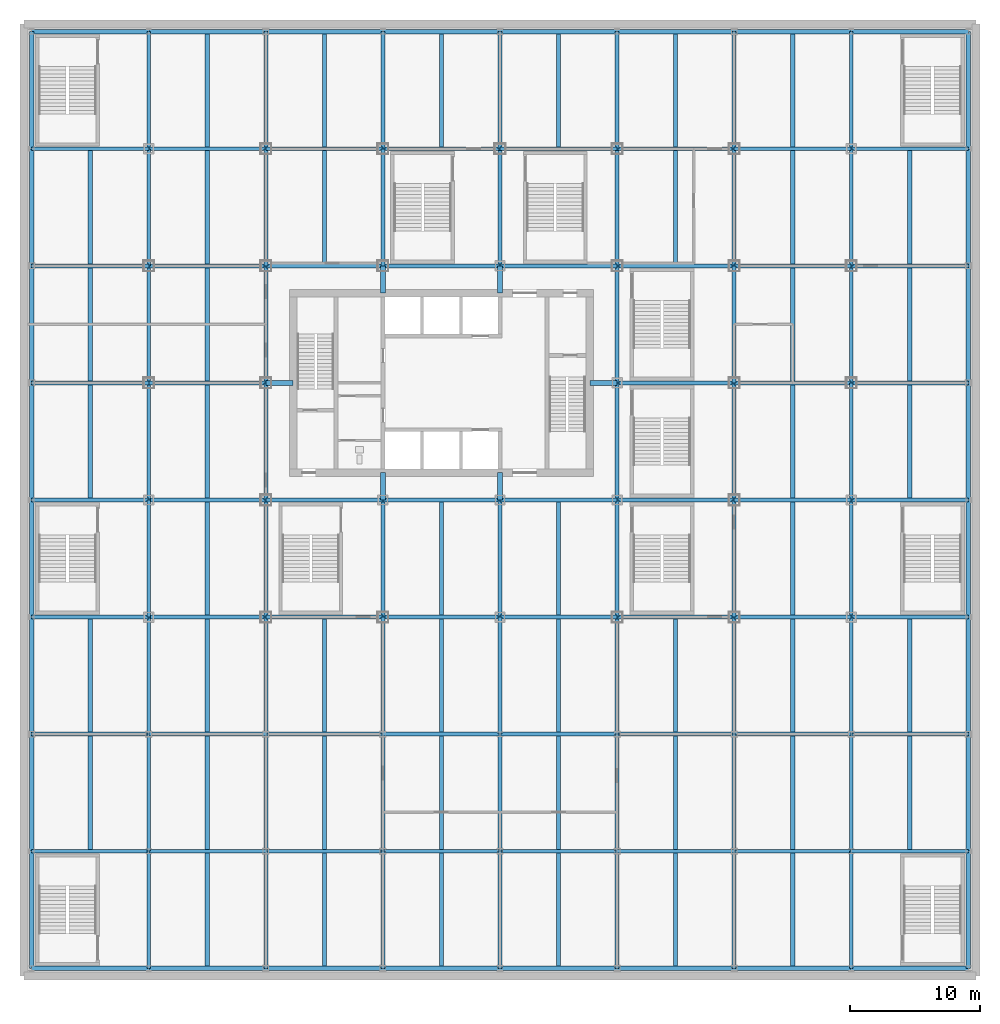
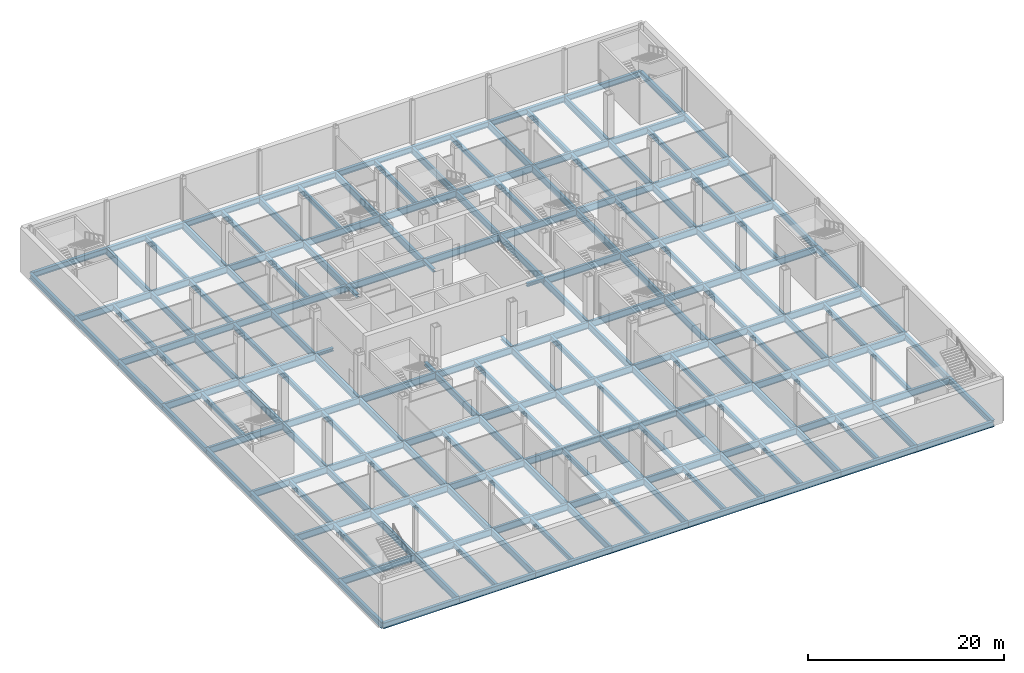
# One storey, part 6 of 27: 183 beams, 6 members.
"""IFC4 building model written with IfcOpenShell, lengths in metres."""

from ifc_helpers import new_model, si_unit, direction, frame, origin, origin_2d, place, context, subcontext, project, spatial, i_section, extrude, material, material_profile, profile_set, type_object, element, save


model = new_model("IFC4")

# Units and contexts
model_context = context("Model", 3, precision=1e-05, world=origin(), true_north=direction((0.0, 1.0)))
body_context = subcontext(model_context, "Body", "Model", "MODEL_VIEW")
ifc_project = project(units=[si_unit("LENGTHUNIT", "METRE"), si_unit("AREAUNIT", "SQUARE_METRE"), si_unit("VOLUMEUNIT", "CUBIC_METRE"), si_unit("PLANEANGLEUNIT", "RADIAN"), si_unit("MASSUNIT", "GRAM", prefix="KILO")], contexts=[model_context])

# Site, building, storey
site_placement = place(None, origin())
site = spatial("IfcSite", under=ifc_project, at=site_placement, CompositionType="ELEMENT")
building_placement = place(site_placement, origin())
building = spatial("IfcBuilding", under=site, at=building_placement, Name="Loomwork Tower", CompositionType="ELEMENT")
storey_placement = place(building_placement, frame((0.0, 0.0, -5.5)))
storey = spatial("IfcBuildingStorey", under=building, at=storey_placement, Name="B1", CompositionType="ELEMENT", Elevation=-5.5)

# Members
ifc_material_1 = material(Name="Steel ASTM A992", Category="steel")
ifc_material_profile_1 = material_profile(ifc_material_1, i_section(OverallWidth=0.373291015625, OverallDepth=0.373291015625, WebThickness=0.016357421875, FlangeThickness=0.026123046875, at=origin_2d()), Name="W14x132")
ifc_profile_set_1 = profile_set([ifc_material_profile_1], Name="Steel ASTM A992")
member_type = type_object("IfcMemberType", Name="CORE LINK STRUT W14x132", PredefinedType="STRUT", material=ifc_profile_set_1)
for number, where, z_axis, x_axis, name in (
    (1, (36.0, 18.0, -0.486572265625), (-1.0, 0.0, 0.0), (0.0, -1.0, 0.0), "Core link strut F/6-33.900,18.000 B1"),
    (2, (18.0, 9.0, -0.486572265625), (0.0, 1.0, 0.0), (-1.0, 0.0, 0.0), "Core link strut E/4-18.000,11.100 B1"),
    (3, (18.0, 27.0, -0.486572265625), (0.0, -1.0, 0.0), (1.0, 0.0, 0.0), "Core link strut G/4-18.000,24.900 B1"),
    (4, (9.0, 18.0, -0.486572265625), (1.0, 0.0, 0.0), (0.0, 1.0, 0.0), "Core link strut F/3-11.100,18.000 B1"),
    (5, (27.0, 9.0, -0.486572265625), (0.0, 1.0, 0.0), (-1.0, 0.0, 0.0), "Core link strut E/5-27.000,11.100 B1"),
    (6, (27.0, 27.0, -0.486572265625), (0.0, -1.0, 0.0), (1.0, 0.0, 0.0), "Core link strut G/5-27.000,24.900 B1"),
):
    element("IfcMember", number, at=place(storey_placement, frame(where, z_axis=z_axis, x_axis=x_axis)), inside=storey, type_object=member_type, Name=name, PredefinedType="STRUT", context=body_context, shape_type="SweptSolid", body=[
        extrude(i_section(OverallWidth=0.373291015625, OverallDepth=0.373291015625, WebThickness=0.016357421875, FlangeThickness=0.026123046875, at=origin_2d()), origin(), (0.0, 0.0, 1.0), 2.10009765625),
    ])

# Beams
ifc_material_2 = material(Name="Steel ASTM A992", Category="steel")
ifc_material_profile_2 = material_profile(ifc_material_2, i_section(OverallWidth=0.355712890625, OverallDepth=0.696044921875, WebThickness=0.015380859375, FlangeThickness=0.024658203125, at=origin_2d()), Name="W27x146")
ifc_profile_set_2 = profile_set([ifc_material_profile_2], Name="Steel ASTM A992")
beam_type_1 = type_object("IfcBeamType", Name="EDGE GIRDER W27x146", PredefinedType="BEAM", material=ifc_profile_set_2)
for number, where, z_axis, x_axis, name in (
    (7, (-9.0, -27.0, -0.64794921875), (1.0, 0.0, 0.0), (0.0, 1.0, 0.0), "Edge Girder A/1-A/2 B1"),
    (8, (0.0, -27.0, -0.64794921875), (1.0, 0.0, 0.0), (0.0, 1.0, 0.0), "Edge Girder A/2-A/3 B1"),
    (9, (9.0, -27.0, -0.64794921875), (1.0, 0.0, 0.0), (0.0, 1.0, 0.0), "Edge Girder A/3-A/4 B1"),
    (10, (18.0, -27.0, -0.64794921875), (1.0, 0.0, 0.0), (0.0, 1.0, 0.0), "Edge Girder A/4-A/5 B1"),
    (11, (27.0, -27.0, -0.64794921875), (1.0, 0.0, 0.0), (0.0, 1.0, 0.0), "Edge Girder A/5-A/6 B1"),
    (12, (36.0, -27.0, -0.64794921875), (1.0, 0.0, 0.0), (0.0, 1.0, 0.0), "Edge Girder A/6-A/7 B1"),
    (13, (45.0, -27.0, -0.64794921875), (1.0, 0.0, 0.0), (0.0, 1.0, 0.0), "Edge Girder A/7-A/8 B1"),
    (14, (54.0, -27.0, -0.64794921875), (1.0, 0.0, 0.0), (0.0, 1.0, 0.0), "Edge Girder A/8-A/9 B1"),
    (15, (-9.0, 45.0, -0.64794921875), (1.0, 0.0, 0.0), (0.0, 1.0, 0.0), "Edge Girder J/1-J/2 B1"),
    (16, (0.0, 45.0, -0.64794921875), (1.0, 0.0, 0.0), (0.0, 1.0, 0.0), "Edge Girder J/2-J/3 B1"),
    (17, (9.0, 45.0, -0.64794921875), (1.0, 0.0, 0.0), (0.0, 1.0, 0.0), "Edge Girder J/3-J/4 B1"),
    (18, (18.0, 45.0, -0.64794921875), (1.0, 0.0, 0.0), (0.0, 1.0, 0.0), "Edge Girder J/4-J/5 B1"),
    (19, (27.0, 45.0, -0.64794921875), (1.0, 0.0, 0.0), (0.0, 1.0, 0.0), "Edge Girder J/5-J/6 B1"),
    (20, (36.0, 45.0, -0.64794921875), (1.0, 0.0, 0.0), (0.0, 1.0, 0.0), "Edge Girder J/6-J/7 B1"),
    (21, (45.0, 45.0, -0.64794921875), (1.0, 0.0, 0.0), (0.0, 1.0, 0.0), "Edge Girder J/7-J/8 B1"),
    (22, (54.0, 45.0, -0.64794921875), (1.0, 0.0, 0.0), (0.0, 1.0, 0.0), "Edge Girder J/8-J/9 B1"),
    (23, (-9.0, -27.0, -0.64794921875), (0.0, 1.0, 0.0), (-1.0, 0.0, 0.0), "Edge Girder A/1-B/1 B1"),
    (24, (-9.0, -18.0, -0.64794921875), (0.0, 1.0, 0.0), (-1.0, 0.0, 0.0), "Edge Girder B/1-C/1 B1"),
    (25, (-9.0, -9.0, -0.64794921875), (0.0, 1.0, 0.0), (-1.0, 0.0, 0.0), "Edge Girder C/1-D/1 B1"),
    (26, (-9.0, 0.0, -0.64794921875), (0.0, 1.0, 0.0), (-1.0, 0.0, 0.0), "Edge Girder D/1-E/1 B1"),
    (27, (-9.0, 9.0, -0.64794921875), (0.0, 1.0, 0.0), (-1.0, 0.0, 0.0), "Edge Girder E/1-F/1 B1"),
    (28, (-9.0, 18.0, -0.64794921875), (0.0, 1.0, 0.0), (-1.0, 0.0, 0.0), "Edge Girder F/1-G/1 B1"),
    (29, (-9.0, 27.0, -0.64794921875), (0.0, 1.0, 0.0), (-1.0, 0.0, 0.0), "Edge Girder G/1-H/1 B1"),
    (30, (-9.0, 36.0, -0.64794921875), (0.0, 1.0, 0.0), (-1.0, 0.0, 0.0), "Edge Girder H/1-J/1 B1"),
    (31, (63.0, -27.0, -0.64794921875), (0.0, 1.0, 0.0), (-1.0, 0.0, 0.0), "Edge Girder A/9-B/9 B1"),
    (32, (63.0, -18.0, -0.64794921875), (0.0, 1.0, 0.0), (-1.0, 0.0, 0.0), "Edge Girder B/9-C/9 B1"),
    (33, (63.0, -9.0, -0.64794921875), (0.0, 1.0, 0.0), (-1.0, 0.0, 0.0), "Edge Girder C/9-D/9 B1"),
    (34, (63.0, 0.0, -0.64794921875), (0.0, 1.0, 0.0), (-1.0, 0.0, 0.0), "Edge Girder D/9-E/9 B1"),
    (35, (63.0, 9.0, -0.64794921875), (0.0, 1.0, 0.0), (-1.0, 0.0, 0.0), "Edge Girder E/9-F/9 B1"),
    (36, (63.0, 18.0, -0.64794921875), (0.0, 1.0, 0.0), (-1.0, 0.0, 0.0), "Edge Girder F/9-G/9 B1"),
    (37, (63.0, 27.0, -0.64794921875), (0.0, 1.0, 0.0), (-1.0, 0.0, 0.0), "Edge Girder G/9-H/9 B1"),
    (38, (63.0, 36.0, -0.64794921875), (0.0, 1.0, 0.0), (-1.0, 0.0, 0.0), "Edge Girder H/9-J/9 B1"),
):
    element("IfcBeam", number, at=place(storey_placement, frame(where, z_axis=z_axis, x_axis=x_axis)), inside=storey, type_object=beam_type_1, Name=name, PredefinedType="BEAM", context=body_context, shape_type="SweptSolid", body=[
        extrude(i_section(OverallWidth=0.355712890625, OverallDepth=0.696044921875, WebThickness=0.015380859375, FlangeThickness=0.024658203125, at=origin_2d()), origin(), (0.0, 0.0, 1.0), 9.0),
    ])
ifc_material_3 = material(Name="Steel ASTM A992", Category="steel")
ifc_material_profile_3 = material_profile(ifc_material_3, i_section(OverallWidth=0.3251953125, OverallDepth=0.612060546875, WebThickness=0.0126953125, FlangeThickness=0.01904296875, at=origin_2d()), Name="W24x104")
ifc_profile_set_3 = profile_set([ifc_material_profile_3], Name="Steel ASTM A992")
beam_type_2 = type_object("IfcBeamType", Name="FLOOR JOIST W24x104", PredefinedType="JOIST", material=ifc_profile_set_3)
for number, where, z_axis, x_axis, name in (
    (39, (-4.5, -17.85400390625, -0.60595703125), (0.0, 1.0, 0.0), (-1.0, 0.0, 0.0), "Floor Joist -4.500,-18.000--4.500,-9.000 B1"),
    (40, (-4.5, -8.85400390625, -0.60595703125), (0.0, 1.0, 0.0), (-1.0, 0.0, 0.0), "Floor Joist -4.500,-9.000--4.500,0.000 B1"),
    (41, (-4.5, 9.14599609375, -0.60595703125), (0.0, 1.0, 0.0), (-1.0, 0.0, 0.0), "Floor Joist -4.500,9.000--4.500,18.000 B1"),
    (42, (-4.5, 18.14599609375, -0.60595703125), (0.0, 1.0, 0.0), (-1.0, 0.0, 0.0), "Floor Joist -4.500,18.000--4.500,27.000 B1"),
    (43, (-4.5, 27.14599609375, -0.60595703125), (0.0, 1.0, 0.0), (-1.0, 0.0, 0.0), "Floor Joist -4.500,27.000--4.500,36.000 B1"),
):
    element("IfcBeam", number, at=place(storey_placement, frame(where, z_axis=z_axis, x_axis=x_axis)), inside=storey, type_object=beam_type_2, Name=name, PredefinedType="JOIST", context=body_context, shape_type="SweptSolid", body=[
        extrude(i_section(OverallWidth=0.3251953125, OverallDepth=0.612060546875, WebThickness=0.0126953125, FlangeThickness=0.01904296875, at=origin_2d()), origin(), (0.0, 0.0, 1.0), 8.7080078125),
    ])
beam_1_placement = place(storey_placement, frame((4.5, -26.822998046875, -0.60595703125), z_axis=(0.0, 1.0, 0.0), x_axis=(-1.0, 0.0, 0.0)))
element("IfcBeam", 44, at=beam_1_placement, inside=storey, type_object=beam_type_2, Name="Floor Joist 4.500,-27.000-4.500,-18.000 B1", PredefinedType="JOIST", context=body_context, shape_type="SweptSolid", body=[
    extrude(i_section(OverallWidth=0.3251953125, OverallDepth=0.612060546875, WebThickness=0.0126953125, FlangeThickness=0.01904296875, at=origin_2d()), origin(), (0.0, 0.0, 1.0), 8.677001953125),
])
for number, where, z_axis, x_axis, name in (
    (45, (4.5, -17.85400390625, -0.60595703125), (0.0, 1.0, 0.0), (-1.0, 0.0, 0.0), "Floor Joist 4.500,-18.000-4.500,-9.000 B1"),
    (46, (4.5, -8.85400390625, -0.60595703125), (0.0, 1.0, 0.0), (-1.0, 0.0, 0.0), "Floor Joist 4.500,-9.000-4.500,0.000 B1"),
    (47, (4.5, 0.14599609375, -0.60595703125), (0.0, 1.0, 0.0), (-1.0, 0.0, 0.0), "Floor Joist 4.500,0.000-4.500,9.000 B1"),
    (48, (4.5, 9.14599609375, -0.60595703125), (0.0, 1.0, 0.0), (-1.0, 0.0, 0.0), "Floor Joist 4.500,9.000-4.500,18.000 B1"),
    (49, (4.5, 18.14599609375, -0.60595703125), (0.0, 1.0, 0.0), (-1.0, 0.0, 0.0), "Floor Joist 4.500,18.000-4.500,27.000 B1"),
    (50, (4.5, 27.14599609375, -0.60595703125), (0.0, 1.0, 0.0), (-1.0, 0.0, 0.0), "Floor Joist 4.500,27.000-4.500,36.000 B1"),
):
    element("IfcBeam", number, at=place(storey_placement, frame(where, z_axis=z_axis, x_axis=x_axis)), inside=storey, type_object=beam_type_2, Name=name, PredefinedType="JOIST", context=body_context, shape_type="SweptSolid", body=[
        extrude(i_section(OverallWidth=0.3251953125, OverallDepth=0.612060546875, WebThickness=0.0126953125, FlangeThickness=0.01904296875, at=origin_2d()), origin(), (0.0, 0.0, 1.0), 8.7080078125),
    ])
for number, where, z_axis, x_axis, name in (
    (51, (4.5, 36.14599609375, -0.60595703125), (0.0, 1.0, 0.0), (-1.0, 0.0, 0.0), "Floor Joist 4.500,36.000-4.500,45.000 B1"),
    (52, (13.5, -26.822998046875, -0.60595703125), (0.0, 1.0, 0.0), (-1.0, 0.0, 0.0), "Floor Joist 13.500,-27.000-13.500,-18.000 B1"),
):
    element("IfcBeam", number, at=place(storey_placement, frame(where, z_axis=z_axis, x_axis=x_axis)), inside=storey, type_object=beam_type_2, Name=name, PredefinedType="JOIST", context=body_context, shape_type="SweptSolid", body=[
        extrude(i_section(OverallWidth=0.3251953125, OverallDepth=0.612060546875, WebThickness=0.0126953125, FlangeThickness=0.01904296875, at=origin_2d()), origin(), (0.0, 0.0, 1.0), 8.677001953125),
    ])
for number, where, z_axis, x_axis, name in (
    (53, (13.5, -17.85400390625, -0.60595703125), (0.0, 1.0, 0.0), (-1.0, 0.0, 0.0), "Floor Joist 13.500,-18.000-13.500,-9.000 B1"),
    (54, (13.5, -8.85400390625, -0.60595703125), (0.0, 1.0, 0.0), (-1.0, 0.0, 0.0), "Floor Joist 13.500,-9.000-13.500,0.000 B1"),
    (55, (13.5, 27.14599609375, -0.60595703125), (0.0, 1.0, 0.0), (-1.0, 0.0, 0.0), "Floor Joist 13.500,27.000-13.500,36.000 B1"),
):
    element("IfcBeam", number, at=place(storey_placement, frame(where, z_axis=z_axis, x_axis=x_axis)), inside=storey, type_object=beam_type_2, Name=name, PredefinedType="JOIST", context=body_context, shape_type="SweptSolid", body=[
        extrude(i_section(OverallWidth=0.3251953125, OverallDepth=0.612060546875, WebThickness=0.0126953125, FlangeThickness=0.01904296875, at=origin_2d()), origin(), (0.0, 0.0, 1.0), 8.7080078125),
    ])
for number, where, z_axis, x_axis, name in (
    (56, (13.5, 36.14599609375, -0.60595703125), (0.0, 1.0, 0.0), (-1.0, 0.0, 0.0), "Floor Joist 13.500,36.000-13.500,45.000 B1"),
    (57, (22.5, -26.822998046875, -0.60595703125), (0.0, 1.0, 0.0), (-1.0, 0.0, 0.0), "Floor Joist 22.500,-27.000-22.500,-18.000 B1"),
):
    element("IfcBeam", number, at=place(storey_placement, frame(where, z_axis=z_axis, x_axis=x_axis)), inside=storey, type_object=beam_type_2, Name=name, PredefinedType="JOIST", context=body_context, shape_type="SweptSolid", body=[
        extrude(i_section(OverallWidth=0.3251953125, OverallDepth=0.612060546875, WebThickness=0.0126953125, FlangeThickness=0.01904296875, at=origin_2d()), origin(), (0.0, 0.0, 1.0), 8.677001953125),
    ])
for number, where, z_axis, x_axis, name in (
    (58, (22.5, -17.85400390625, -0.60595703125), (0.0, 1.0, 0.0), (-1.0, 0.0, 0.0), "Floor Joist 22.500,-18.000-22.500,-9.000 B1"),
    (59, (22.5, -8.85400390625, -0.60595703125), (0.0, 1.0, 0.0), (-1.0, 0.0, 0.0), "Floor Joist 22.500,-9.000-22.500,0.000 B1"),
    (60, (22.5, 0.14599609375, -0.60595703125), (0.0, 1.0, 0.0), (-1.0, 0.0, 0.0), "Floor Joist 22.500,0.000-22.500,9.000 B1"),
):
    element("IfcBeam", number, at=place(storey_placement, frame(where, z_axis=z_axis, x_axis=x_axis)), inside=storey, type_object=beam_type_2, Name=name, PredefinedType="JOIST", context=body_context, shape_type="SweptSolid", body=[
        extrude(i_section(OverallWidth=0.3251953125, OverallDepth=0.612060546875, WebThickness=0.0126953125, FlangeThickness=0.01904296875, at=origin_2d()), origin(), (0.0, 0.0, 1.0), 8.7080078125),
    ])
for number, where, z_axis, x_axis, name in (
    (61, (22.5, 36.14599609375, -0.60595703125), (0.0, 1.0, 0.0), (-1.0, 0.0, 0.0), "Floor Joist 22.500,36.000-22.500,45.000 B1"),
    (62, (31.5, -26.822998046875, -0.60595703125), (0.0, 1.0, 0.0), (-1.0, 0.0, 0.0), "Floor Joist 31.500,-27.000-31.500,-18.000 B1"),
):
    element("IfcBeam", number, at=place(storey_placement, frame(where, z_axis=z_axis, x_axis=x_axis)), inside=storey, type_object=beam_type_2, Name=name, PredefinedType="JOIST", context=body_context, shape_type="SweptSolid", body=[
        extrude(i_section(OverallWidth=0.3251953125, OverallDepth=0.612060546875, WebThickness=0.0126953125, FlangeThickness=0.01904296875, at=origin_2d()), origin(), (0.0, 0.0, 1.0), 8.677001953125),
    ])
for number, where, z_axis, x_axis, name in (
    (63, (31.5, -17.85400390625, -0.60595703125), (0.0, 1.0, 0.0), (-1.0, 0.0, 0.0), "Floor Joist 31.500,-18.000-31.500,-9.000 B1"),
    (64, (31.5, -8.85400390625, -0.60595703125), (0.0, 1.0, 0.0), (-1.0, 0.0, 0.0), "Floor Joist 31.500,-9.000-31.500,0.000 B1"),
    (65, (31.5, 0.14599609375, -0.60595703125), (0.0, 1.0, 0.0), (-1.0, 0.0, 0.0), "Floor Joist 31.500,0.000-31.500,9.000 B1"),
):
    element("IfcBeam", number, at=place(storey_placement, frame(where, z_axis=z_axis, x_axis=x_axis)), inside=storey, type_object=beam_type_2, Name=name, PredefinedType="JOIST", context=body_context, shape_type="SweptSolid", body=[
        extrude(i_section(OverallWidth=0.3251953125, OverallDepth=0.612060546875, WebThickness=0.0126953125, FlangeThickness=0.01904296875, at=origin_2d()), origin(), (0.0, 0.0, 1.0), 8.7080078125),
    ])
for number, where, z_axis, x_axis, name in (
    (66, (31.5, 36.14599609375, -0.60595703125), (0.0, 1.0, 0.0), (-1.0, 0.0, 0.0), "Floor Joist 31.500,36.000-31.500,45.000 B1"),
    (67, (40.5, -26.822998046875, -0.60595703125), (0.0, 1.0, 0.0), (-1.0, 0.0, 0.0), "Floor Joist 40.500,-27.000-40.500,-18.000 B1"),
):
    element("IfcBeam", number, at=place(storey_placement, frame(where, z_axis=z_axis, x_axis=x_axis)), inside=storey, type_object=beam_type_2, Name=name, PredefinedType="JOIST", context=body_context, shape_type="SweptSolid", body=[
        extrude(i_section(OverallWidth=0.3251953125, OverallDepth=0.612060546875, WebThickness=0.0126953125, FlangeThickness=0.01904296875, at=origin_2d()), origin(), (0.0, 0.0, 1.0), 8.677001953125),
    ])
for number, where, z_axis, x_axis, name in (
    (68, (40.5, -17.85400390625, -0.60595703125), (0.0, 1.0, 0.0), (-1.0, 0.0, 0.0), "Floor Joist 40.500,-18.000-40.500,-9.000 B1"),
    (69, (40.5, -8.85400390625, -0.60595703125), (0.0, 1.0, 0.0), (-1.0, 0.0, 0.0), "Floor Joist 40.500,-9.000-40.500,0.000 B1"),
    (70, (40.5, 27.14599609375, -0.60595703125), (0.0, 1.0, 0.0), (-1.0, 0.0, 0.0), "Floor Joist 40.500,27.000-40.500,36.000 B1"),
):
    element("IfcBeam", number, at=place(storey_placement, frame(where, z_axis=z_axis, x_axis=x_axis)), inside=storey, type_object=beam_type_2, Name=name, PredefinedType="JOIST", context=body_context, shape_type="SweptSolid", body=[
        extrude(i_section(OverallWidth=0.3251953125, OverallDepth=0.612060546875, WebThickness=0.0126953125, FlangeThickness=0.01904296875, at=origin_2d()), origin(), (0.0, 0.0, 1.0), 8.7080078125),
    ])
for number, where, z_axis, x_axis, name in (
    (71, (40.5, 36.14599609375, -0.60595703125), (0.0, 1.0, 0.0), (-1.0, 0.0, 0.0), "Floor Joist 40.500,36.000-40.500,45.000 B1"),
    (72, (49.5, -26.822998046875, -0.60595703125), (0.0, 1.0, 0.0), (-1.0, 0.0, 0.0), "Floor Joist 49.500,-27.000-49.500,-18.000 B1"),
):
    element("IfcBeam", number, at=place(storey_placement, frame(where, z_axis=z_axis, x_axis=x_axis)), inside=storey, type_object=beam_type_2, Name=name, PredefinedType="JOIST", context=body_context, shape_type="SweptSolid", body=[
        extrude(i_section(OverallWidth=0.3251953125, OverallDepth=0.612060546875, WebThickness=0.0126953125, FlangeThickness=0.01904296875, at=origin_2d()), origin(), (0.0, 0.0, 1.0), 8.677001953125),
    ])
for number, where, z_axis, x_axis, name in (
    (73, (49.5, -17.85400390625, -0.60595703125), (0.0, 1.0, 0.0), (-1.0, 0.0, 0.0), "Floor Joist 49.500,-18.000-49.500,-9.000 B1"),
    (74, (49.5, -8.85400390625, -0.60595703125), (0.0, 1.0, 0.0), (-1.0, 0.0, 0.0), "Floor Joist 49.500,-9.000-49.500,0.000 B1"),
    (75, (49.5, 0.14599609375, -0.60595703125), (0.0, 1.0, 0.0), (-1.0, 0.0, 0.0), "Floor Joist 49.500,0.000-49.500,9.000 B1"),
    (76, (49.5, 9.14599609375, -0.60595703125), (0.0, 1.0, 0.0), (-1.0, 0.0, 0.0), "Floor Joist 49.500,9.000-49.500,18.000 B1"),
    (77, (49.5, 18.14599609375, -0.60595703125), (0.0, 1.0, 0.0), (-1.0, 0.0, 0.0), "Floor Joist 49.500,18.000-49.500,27.000 B1"),
    (78, (49.5, 27.14599609375, -0.60595703125), (0.0, 1.0, 0.0), (-1.0, 0.0, 0.0), "Floor Joist 49.500,27.000-49.500,36.000 B1"),
):
    element("IfcBeam", number, at=place(storey_placement, frame(where, z_axis=z_axis, x_axis=x_axis)), inside=storey, type_object=beam_type_2, Name=name, PredefinedType="JOIST", context=body_context, shape_type="SweptSolid", body=[
        extrude(i_section(OverallWidth=0.3251953125, OverallDepth=0.612060546875, WebThickness=0.0126953125, FlangeThickness=0.01904296875, at=origin_2d()), origin(), (0.0, 0.0, 1.0), 8.7080078125),
    ])
beam_2_placement = place(storey_placement, frame((49.5, 36.14599609375, -0.60595703125), z_axis=(0.0, 1.0, 0.0), x_axis=(-1.0, 0.0, 0.0)))
element("IfcBeam", 79, at=beam_2_placement, inside=storey, type_object=beam_type_2, Name="Floor Joist 49.500,36.000-49.500,45.000 B1", PredefinedType="JOIST", context=body_context, shape_type="SweptSolid", body=[
    extrude(i_section(OverallWidth=0.3251953125, OverallDepth=0.612060546875, WebThickness=0.0126953125, FlangeThickness=0.01904296875, at=origin_2d()), origin(), (0.0, 0.0, 1.0), 8.677001953125),
])
for number, where, z_axis, x_axis, name in (
    (80, (58.5, -17.85400390625, -0.60595703125), (0.0, 1.0, 0.0), (-1.0, 0.0, 0.0), "Floor Joist 58.500,-18.000-58.500,-9.000 B1"),
    (81, (58.5, -8.85400390625, -0.60595703125), (0.0, 1.0, 0.0), (-1.0, 0.0, 0.0), "Floor Joist 58.500,-9.000-58.500,0.000 B1"),
    (82, (58.5, 9.14599609375, -0.60595703125), (0.0, 1.0, 0.0), (-1.0, 0.0, 0.0), "Floor Joist 58.500,9.000-58.500,18.000 B1"),
    (83, (58.5, 18.14599609375, -0.60595703125), (0.0, 1.0, 0.0), (-1.0, 0.0, 0.0), "Floor Joist 58.500,18.000-58.500,27.000 B1"),
    (84, (58.5, 27.14599609375, -0.60595703125), (0.0, 1.0, 0.0), (-1.0, 0.0, 0.0), "Floor Joist 58.500,27.000-58.500,36.000 B1"),
):
    element("IfcBeam", number, at=place(storey_placement, frame(where, z_axis=z_axis, x_axis=x_axis)), inside=storey, type_object=beam_type_2, Name=name, PredefinedType="JOIST", context=body_context, shape_type="SweptSolid", body=[
        extrude(i_section(OverallWidth=0.3251953125, OverallDepth=0.612060546875, WebThickness=0.0126953125, FlangeThickness=0.01904296875, at=origin_2d()), origin(), (0.0, 0.0, 1.0), 8.7080078125),
    ])
ifc_material_4 = material(Name="Steel ASTM A992", Category="steel")
ifc_material_profile_4 = material_profile(ifc_material_4, i_section(OverallWidth=0.2919921875, OverallDepth=0.8583984375, WebThickness=0.01708984375, FlangeThickness=0.031005859375, at=origin_2d()), Name="W33x169")
ifc_profile_set_4 = profile_set([ifc_material_profile_4], Name="Steel ASTM A992")
beam_type_3 = type_object("IfcBeamType", Name="PODIUM GIRDER W33x169", PredefinedType="BEAM", material=ifc_profile_set_4)
for number, where, z_axis, x_axis, name in (
    (85, (-9.0, -18.0, -0.729248046875), (1.0, 0.0, 0.0), (0.0, 1.0, 0.0), "Podium Girder B/1-B/2 B1"),
    (86, (0.0, -18.0, -0.729248046875), (1.0, 0.0, 0.0), (0.0, 1.0, 0.0), "Podium Girder B/2-B/3 B1"),
    (87, (9.0, -18.0, -0.729248046875), (1.0, 0.0, 0.0), (0.0, 1.0, 0.0), "Podium Girder B/3-B/4 B1"),
    (88, (18.0, -18.0, -0.729248046875), (1.0, 0.0, 0.0), (0.0, 1.0, 0.0), "Podium Girder B/4-B/5 B1"),
    (89, (27.0, -18.0, -0.729248046875), (1.0, 0.0, 0.0), (0.0, 1.0, 0.0), "Podium Girder B/5-B/6 B1"),
    (90, (36.0, -18.0, -0.729248046875), (1.0, 0.0, 0.0), (0.0, 1.0, 0.0), "Podium Girder B/6-B/7 B1"),
    (91, (45.0, -18.0, -0.729248046875), (1.0, 0.0, 0.0), (0.0, 1.0, 0.0), "Podium Girder B/7-B/8 B1"),
    (92, (54.0, -18.0, -0.729248046875), (1.0, 0.0, 0.0), (0.0, 1.0, 0.0), "Podium Girder B/8-B/9 B1"),
    (93, (-9.0, -9.0, -0.729248046875), (1.0, 0.0, 0.0), (0.0, 1.0, 0.0), "Podium Girder C/1-C/2 B1"),
    (94, (0.0, -9.0, -0.729248046875), (1.0, 0.0, 0.0), (0.0, 1.0, 0.0), "Podium Girder C/2-C/3 B1"),
    (95, (9.0, -9.0, -0.729248046875), (1.0, 0.0, 0.0), (0.0, 1.0, 0.0), "Podium Girder C/3-C/4 B1"),
    (96, (18.0, -9.0, -0.729248046875), (1.0, 0.0, 0.0), (0.0, 1.0, 0.0), "Podium Girder C/4-C/5 B1"),
    (97, (27.0, -9.0, -0.729248046875), (1.0, 0.0, 0.0), (0.0, 1.0, 0.0), "Podium Girder C/5-C/6 B1"),
    (98, (36.0, -9.0, -0.729248046875), (1.0, 0.0, 0.0), (0.0, 1.0, 0.0), "Podium Girder C/6-C/7 B1"),
    (99, (45.0, -9.0, -0.729248046875), (1.0, 0.0, 0.0), (0.0, 1.0, 0.0), "Podium Girder C/7-C/8 B1"),
    (100, (54.0, -9.0, -0.729248046875), (1.0, 0.0, 0.0), (0.0, 1.0, 0.0), "Podium Girder C/8-C/9 B1"),
    (101, (-9.0, 0.0, -0.729248046875), (1.0, 0.0, 0.0), (0.0, 1.0, 0.0), "Podium Girder D/1-D/2 B1"),
    (102, (0.0, 0.0, -0.729248046875), (1.0, 0.0, 0.0), (0.0, 1.0, 0.0), "Podium Girder D/2-D/3 B1"),
    (103, (9.0, 0.0, -0.729248046875), (1.0, 0.0, 0.0), (0.0, 1.0, 0.0), "Podium Girder D/3-D/4 B1"),
    (104, (18.0, 0.0, -0.729248046875), (1.0, 0.0, 0.0), (0.0, 1.0, 0.0), "Podium Girder D/4-D/5 B1"),
    (105, (27.0, 0.0, -0.729248046875), (1.0, 0.0, 0.0), (0.0, 1.0, 0.0), "Podium Girder D/5-D/6 B1"),
    (106, (36.0, 0.0, -0.729248046875), (1.0, 0.0, 0.0), (0.0, 1.0, 0.0), "Podium Girder D/6-D/7 B1"),
    (107, (45.0, 0.0, -0.729248046875), (1.0, 0.0, 0.0), (0.0, 1.0, 0.0), "Podium Girder D/7-D/8 B1"),
    (108, (54.0, 0.0, -0.729248046875), (1.0, 0.0, 0.0), (0.0, 1.0, 0.0), "Podium Girder D/8-D/9 B1"),
    (109, (-9.0, 9.0, -0.729248046875), (1.0, 0.0, 0.0), (0.0, 1.0, 0.0), "Podium Girder E/1-E/2 B1"),
    (110, (0.0, 9.0, -0.729248046875), (1.0, 0.0, 0.0), (0.0, 1.0, 0.0), "Podium Girder E/2-E/3 B1"),
    (111, (9.0, 9.0, -0.729248046875), (1.0, 0.0, 0.0), (0.0, 1.0, 0.0), "Podium Girder E/3-E/4 B1"),
    (112, (18.0, 9.0, -0.729248046875), (1.0, 0.0, 0.0), (0.0, 1.0, 0.0), "Podium Girder E/4-E/5 B1"),
    (113, (27.0, 9.0, -0.729248046875), (1.0, 0.0, 0.0), (0.0, 1.0, 0.0), "Podium Girder E/5-E/6 B1"),
    (114, (36.0, 9.0, -0.729248046875), (1.0, 0.0, 0.0), (0.0, 1.0, 0.0), "Podium Girder E/6-E/7 B1"),
    (115, (45.0, 9.0, -0.729248046875), (1.0, 0.0, 0.0), (0.0, 1.0, 0.0), "Podium Girder E/7-E/8 B1"),
    (116, (54.0, 9.0, -0.729248046875), (1.0, 0.0, 0.0), (0.0, 1.0, 0.0), "Podium Girder E/8-E/9 B1"),
    (117, (-9.0, 18.0, -0.729248046875), (1.0, 0.0, 0.0), (0.0, 1.0, 0.0), "Podium Girder F/1-F/2 B1"),
    (118, (0.0, 18.0, -0.729248046875), (1.0, 0.0, 0.0), (0.0, 1.0, 0.0), "Podium Girder F/2-F/3 B1"),
    (119, (36.0, 18.0, -0.729248046875), (1.0, 0.0, 0.0), (0.0, 1.0, 0.0), "Podium Girder F/6-F/7 B1"),
    (120, (45.0, 18.0, -0.729248046875), (1.0, 0.0, 0.0), (0.0, 1.0, 0.0), "Podium Girder F/7-F/8 B1"),
    (121, (54.0, 18.0, -0.729248046875), (1.0, 0.0, 0.0), (0.0, 1.0, 0.0), "Podium Girder F/8-F/9 B1"),
    (122, (-9.0, 27.0, -0.729248046875), (1.0, 0.0, 0.0), (0.0, 1.0, 0.0), "Podium Girder G/1-G/2 B1"),
    (123, (0.0, 27.0, -0.729248046875), (1.0, 0.0, 0.0), (0.0, 1.0, 0.0), "Podium Girder G/2-G/3 B1"),
    (124, (9.0, 27.0, -0.729248046875), (1.0, 0.0, 0.0), (0.0, 1.0, 0.0), "Podium Girder G/3-G/4 B1"),
    (125, (18.0, 27.0, -0.729248046875), (1.0, 0.0, 0.0), (0.0, 1.0, 0.0), "Podium Girder G/4-G/5 B1"),
    (126, (27.0, 27.0, -0.729248046875), (1.0, 0.0, 0.0), (0.0, 1.0, 0.0), "Podium Girder G/5-G/6 B1"),
    (127, (36.0, 27.0, -0.729248046875), (1.0, 0.0, 0.0), (0.0, 1.0, 0.0), "Podium Girder G/6-G/7 B1"),
    (128, (45.0, 27.0, -0.729248046875), (1.0, 0.0, 0.0), (0.0, 1.0, 0.0), "Podium Girder G/7-G/8 B1"),
    (129, (54.0, 27.0, -0.729248046875), (1.0, 0.0, 0.0), (0.0, 1.0, 0.0), "Podium Girder G/8-G/9 B1"),
    (130, (-9.0, 36.0, -0.729248046875), (1.0, 0.0, 0.0), (0.0, 1.0, 0.0), "Podium Girder H/1-H/2 B1"),
    (131, (0.0, 36.0, -0.729248046875), (1.0, 0.0, 0.0), (0.0, 1.0, 0.0), "Podium Girder H/2-H/3 B1"),
    (132, (9.0, 36.0, -0.729248046875), (1.0, 0.0, 0.0), (0.0, 1.0, 0.0), "Podium Girder H/3-H/4 B1"),
    (133, (18.0, 36.0, -0.729248046875), (1.0, 0.0, 0.0), (0.0, 1.0, 0.0), "Podium Girder H/4-H/5 B1"),
    (134, (27.0, 36.0, -0.729248046875), (1.0, 0.0, 0.0), (0.0, 1.0, 0.0), "Podium Girder H/5-H/6 B1"),
    (135, (36.0, 36.0, -0.729248046875), (1.0, 0.0, 0.0), (0.0, 1.0, 0.0), "Podium Girder H/6-H/7 B1"),
    (136, (45.0, 36.0, -0.729248046875), (1.0, 0.0, 0.0), (0.0, 1.0, 0.0), "Podium Girder H/7-H/8 B1"),
    (137, (54.0, 36.0, -0.729248046875), (1.0, 0.0, 0.0), (0.0, 1.0, 0.0), "Podium Girder H/8-H/9 B1"),
    (138, (0.0, -27.0, -0.729248046875), (0.0, 1.0, 0.0), (-1.0, 0.0, 0.0), "Podium Girder A/2-B/2 B1"),
    (139, (0.0, -18.0, -0.729248046875), (0.0, 1.0, 0.0), (-1.0, 0.0, 0.0), "Podium Girder B/2-C/2 B1"),
    (140, (0.0, -9.0, -0.729248046875), (0.0, 1.0, 0.0), (-1.0, 0.0, 0.0), "Podium Girder C/2-D/2 B1"),
    (141, (0.0, 0.0, -0.729248046875), (0.0, 1.0, 0.0), (-1.0, 0.0, 0.0), "Podium Girder D/2-E/2 B1"),
    (142, (0.0, 9.0, -0.729248046875), (0.0, 1.0, 0.0), (-1.0, 0.0, 0.0), "Podium Girder E/2-F/2 B1"),
    (143, (0.0, 18.0, -0.729248046875), (0.0, 1.0, 0.0), (-1.0, 0.0, 0.0), "Podium Girder F/2-G/2 B1"),
    (144, (0.0, 27.0, -0.729248046875), (0.0, 1.0, 0.0), (-1.0, 0.0, 0.0), "Podium Girder G/2-H/2 B1"),
    (145, (0.0, 36.0, -0.729248046875), (0.0, 1.0, 0.0), (-1.0, 0.0, 0.0), "Podium Girder H/2-J/2 B1"),
    (146, (9.0, -27.0, -0.729248046875), (0.0, 1.0, 0.0), (-1.0, 0.0, 0.0), "Podium Girder A/3-B/3 B1"),
    (147, (9.0, -18.0, -0.729248046875), (0.0, 1.0, 0.0), (-1.0, 0.0, 0.0), "Podium Girder B/3-C/3 B1"),
    (148, (9.0, -9.0, -0.729248046875), (0.0, 1.0, 0.0), (-1.0, 0.0, 0.0), "Podium Girder C/3-D/3 B1"),
    (149, (9.0, 0.0, -0.729248046875), (0.0, 1.0, 0.0), (-1.0, 0.0, 0.0), "Podium Girder D/3-E/3 B1"),
    (150, (9.0, 9.0, -0.729248046875), (0.0, 1.0, 0.0), (-1.0, 0.0, 0.0), "Podium Girder E/3-F/3 B1"),
    (151, (9.0, 18.0, -0.729248046875), (0.0, 1.0, 0.0), (-1.0, 0.0, 0.0), "Podium Girder F/3-G/3 B1"),
    (152, (9.0, 27.0, -0.729248046875), (0.0, 1.0, 0.0), (-1.0, 0.0, 0.0), "Podium Girder G/3-H/3 B1"),
    (153, (9.0, 36.0, -0.729248046875), (0.0, 1.0, 0.0), (-1.0, 0.0, 0.0), "Podium Girder H/3-J/3 B1"),
    (154, (18.0, -27.0, -0.729248046875), (0.0, 1.0, 0.0), (-1.0, 0.0, 0.0), "Podium Girder A/4-B/4 B1"),
    (155, (18.0, -18.0, -0.729248046875), (0.0, 1.0, 0.0), (-1.0, 0.0, 0.0), "Podium Girder B/4-C/4 B1"),
    (156, (18.0, -9.0, -0.729248046875), (0.0, 1.0, 0.0), (-1.0, 0.0, 0.0), "Podium Girder C/4-D/4 B1"),
    (157, (18.0, 0.0, -0.729248046875), (0.0, 1.0, 0.0), (-1.0, 0.0, 0.0), "Podium Girder D/4-E/4 B1"),
    (158, (18.0, 27.0, -0.729248046875), (0.0, 1.0, 0.0), (-1.0, 0.0, 0.0), "Podium Girder G/4-H/4 B1"),
    (159, (18.0, 36.0, -0.729248046875), (0.0, 1.0, 0.0), (-1.0, 0.0, 0.0), "Podium Girder H/4-J/4 B1"),
    (160, (27.0, -27.0, -0.729248046875), (0.0, 1.0, 0.0), (-1.0, 0.0, 0.0), "Podium Girder A/5-B/5 B1"),
    (161, (27.0, -18.0, -0.729248046875), (0.0, 1.0, 0.0), (-1.0, 0.0, 0.0), "Podium Girder B/5-C/5 B1"),
    (162, (27.0, -9.0, -0.729248046875), (0.0, 1.0, 0.0), (-1.0, 0.0, 0.0), "Podium Girder C/5-D/5 B1"),
    (163, (27.0, 0.0, -0.729248046875), (0.0, 1.0, 0.0), (-1.0, 0.0, 0.0), "Podium Girder D/5-E/5 B1"),
    (164, (27.0, 27.0, -0.729248046875), (0.0, 1.0, 0.0), (-1.0, 0.0, 0.0), "Podium Girder G/5-H/5 B1"),
    (165, (27.0, 36.0, -0.729248046875), (0.0, 1.0, 0.0), (-1.0, 0.0, 0.0), "Podium Girder H/5-J/5 B1"),
    (166, (36.0, -27.0, -0.729248046875), (0.0, 1.0, 0.0), (-1.0, 0.0, 0.0), "Podium Girder A/6-B/6 B1"),
    (167, (36.0, -18.0, -0.729248046875), (0.0, 1.0, 0.0), (-1.0, 0.0, 0.0), "Podium Girder B/6-C/6 B1"),
    (168, (36.0, -9.0, -0.729248046875), (0.0, 1.0, 0.0), (-1.0, 0.0, 0.0), "Podium Girder C/6-D/6 B1"),
    (169, (36.0, 0.0, -0.729248046875), (0.0, 1.0, 0.0), (-1.0, 0.0, 0.0), "Podium Girder D/6-E/6 B1"),
    (170, (36.0, 9.0, -0.729248046875), (0.0, 1.0, 0.0), (-1.0, 0.0, 0.0), "Podium Girder E/6-F/6 B1"),
    (171, (36.0, 18.0, -0.729248046875), (0.0, 1.0, 0.0), (-1.0, 0.0, 0.0), "Podium Girder F/6-G/6 B1"),
    (172, (36.0, 27.0, -0.729248046875), (0.0, 1.0, 0.0), (-1.0, 0.0, 0.0), "Podium Girder G/6-H/6 B1"),
    (173, (36.0, 36.0, -0.729248046875), (0.0, 1.0, 0.0), (-1.0, 0.0, 0.0), "Podium Girder H/6-J/6 B1"),
    (174, (45.0, -27.0, -0.729248046875), (0.0, 1.0, 0.0), (-1.0, 0.0, 0.0), "Podium Girder A/7-B/7 B1"),
    (175, (45.0, -18.0, -0.729248046875), (0.0, 1.0, 0.0), (-1.0, 0.0, 0.0), "Podium Girder B/7-C/7 B1"),
    (176, (45.0, -9.0, -0.729248046875), (0.0, 1.0, 0.0), (-1.0, 0.0, 0.0), "Podium Girder C/7-D/7 B1"),
    (177, (45.0, 0.0, -0.729248046875), (0.0, 1.0, 0.0), (-1.0, 0.0, 0.0), "Podium Girder D/7-E/7 B1"),
    (178, (45.0, 9.0, -0.729248046875), (0.0, 1.0, 0.0), (-1.0, 0.0, 0.0), "Podium Girder E/7-F/7 B1"),
    (179, (45.0, 18.0, -0.729248046875), (0.0, 1.0, 0.0), (-1.0, 0.0, 0.0), "Podium Girder F/7-G/7 B1"),
    (180, (45.0, 27.0, -0.729248046875), (0.0, 1.0, 0.0), (-1.0, 0.0, 0.0), "Podium Girder G/7-H/7 B1"),
    (181, (45.0, 36.0, -0.729248046875), (0.0, 1.0, 0.0), (-1.0, 0.0, 0.0), "Podium Girder H/7-J/7 B1"),
    (182, (54.0, -27.0, -0.729248046875), (0.0, 1.0, 0.0), (-1.0, 0.0, 0.0), "Podium Girder A/8-B/8 B1"),
    (183, (54.0, -18.0, -0.729248046875), (0.0, 1.0, 0.0), (-1.0, 0.0, 0.0), "Podium Girder B/8-C/8 B1"),
    (184, (54.0, -9.0, -0.729248046875), (0.0, 1.0, 0.0), (-1.0, 0.0, 0.0), "Podium Girder C/8-D/8 B1"),
    (185, (54.0, 0.0, -0.729248046875), (0.0, 1.0, 0.0), (-1.0, 0.0, 0.0), "Podium Girder D/8-E/8 B1"),
    (186, (54.0, 9.0, -0.729248046875), (0.0, 1.0, 0.0), (-1.0, 0.0, 0.0), "Podium Girder E/8-F/8 B1"),
    (187, (54.0, 18.0, -0.729248046875), (0.0, 1.0, 0.0), (-1.0, 0.0, 0.0), "Podium Girder F/8-G/8 B1"),
    (188, (54.0, 27.0, -0.729248046875), (0.0, 1.0, 0.0), (-1.0, 0.0, 0.0), "Podium Girder G/8-H/8 B1"),
    (189, (54.0, 36.0, -0.729248046875), (0.0, 1.0, 0.0), (-1.0, 0.0, 0.0), "Podium Girder H/8-J/8 B1"),
):
    element("IfcBeam", number, at=place(storey_placement, frame(where, z_axis=z_axis, x_axis=x_axis)), inside=storey, type_object=beam_type_3, Name=name, PredefinedType="BEAM", context=body_context, shape_type="SweptSolid", body=[
        extrude(i_section(OverallWidth=0.2919921875, OverallDepth=0.8583984375, WebThickness=0.01708984375, FlangeThickness=0.031005859375, at=origin_2d()), origin(), (0.0, 0.0, 1.0), 9.0),
    ])

save(model, "model.ifc")
